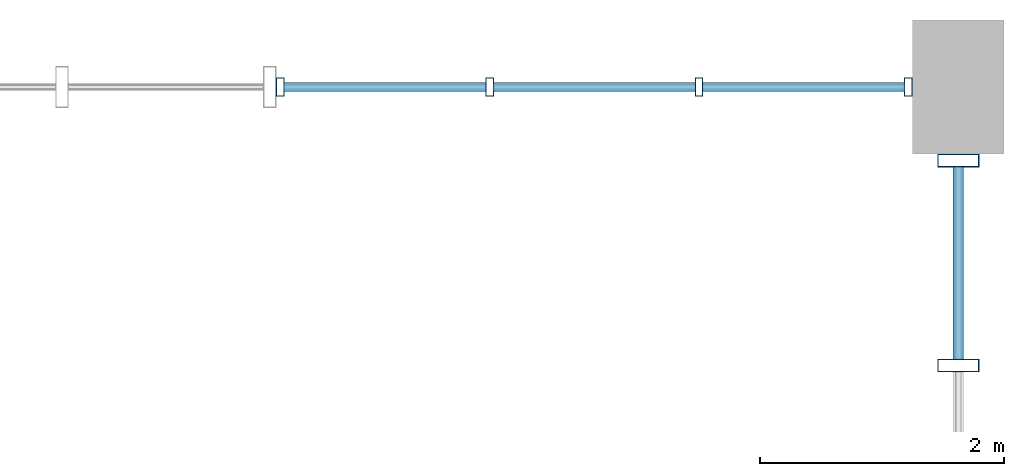
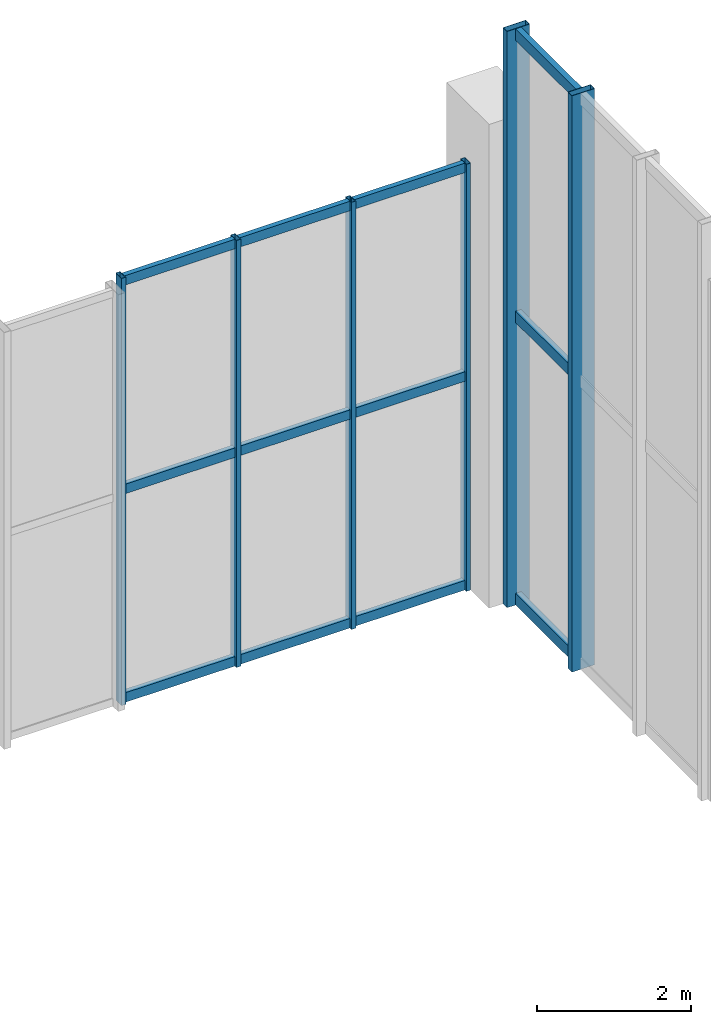
# One storey, part 18 of 28: 18 members, 2 elements without a shape of their own.
"""IFC4 building model written with IfcOpenShell, lengths in metres."""

from ifc_helpers import new_model, si_unit, direction, frame, origin, origin_2d, place, context, subcontext, project, spatial, hollow_rectangle, extrude, material, layer, layer_set, material_profile, profile_set, type_object, element, aggregate, save


model = new_model("IFC4")

# Units and contexts
model_context = context("Model", 3, precision=1e-05, world=origin(), true_north=direction((0.0, 1.0)))
body_context = subcontext(model_context, "Body", "Model", "MODEL_VIEW")
ifc_project = project(units=[si_unit("LENGTHUNIT", "METRE"), si_unit("AREAUNIT", "SQUARE_METRE"), si_unit("VOLUMEUNIT", "CUBIC_METRE"), si_unit("PLANEANGLEUNIT", "RADIAN"), si_unit("MASSUNIT", "GRAM", prefix="KILO"), si_unit("POWERUNIT", "WATT"), si_unit("THERMODYNAMICTEMPERATUREUNIT", "KELVIN")], contexts=[model_context])

# Site, building, storey
site_placement = place(None, origin())
site = spatial("IfcSite", under=ifc_project, at=site_placement, CompositionType="ELEMENT")
building_placement = place(site_placement, origin())
building = spatial("IfcBuilding", under=site, at=building_placement, Name="Kelmbourne Parkland Aquatics Centre", CompositionType="ELEMENT")
storey_placement = place(building_placement, frame((0.0, 0.0, 19.199951171875)))
storey = spatial("IfcBuildingStorey", under=building, at=storey_placement, Name="L04", CompositionType="ELEMENT", Elevation=19.199951171875)

# Curtain wall, members
ifc_material = material(Name="Thermally broken anodised aluminium framing", Category="aluminium")
ifc_layer_1 = layer(ifc_material, 0.179931640625)
ifc_layer_set_1 = layer_set([ifc_layer_1], Name="Thermally broken anodised aluminium framing")
curtain_wall_type_1 = type_object("IfcCurtainWallType", Name="CW-16", PredefinedType="NOTDEFINED", material=ifc_layer_set_1)
curtain_wall_1_placement = place(storey_placement, origin())
curtain_wall_1 = element("IfcCurtainWall", 1, at=curtain_wall_1_placement, inside=storey, type_object=curtain_wall_type_1, Name="Wave-hall clerestory curtain wall CW-L04-160", PredefinedType="NOTDEFINED")
ifc_material_profile_1 = material_profile(ifc_material, hollow_rectangle(XDim=0.06494140625, YDim=0.14990234375, WallThickness=0.00390625, at=origin_2d()), Name="CW-M 65x150")
ifc_profile_set_1 = profile_set([ifc_material_profile_1], Name="Thermally broken anodised aluminium framing")
member_type_1 = type_object("IfcMemberType", Name="MB-MUL-1", PredefinedType="MULLION", material=ifc_profile_set_1)
member_1_placement = place(storey_placement, frame((169.632568359375, 114.800048828125, 0.0), z_axis=(0.0, 0.0, 1.0), x_axis=(1.0, 0.0, 0.0)))
member_1 = element("IfcMember", 2, at=member_1_placement, type_object=member_type_1, Name="CW-L04-160 mullion 0", PredefinedType="MULLION", context=body_context, shape_type="SweptSolid", body=[
    extrude(hollow_rectangle(XDim=0.06494140625, YDim=0.14990234375, WallThickness=0.00390625, at=origin_2d()), origin(), (0.0, 0.0, 1.0), 6.7548828125),
])
member_2_placement = place(storey_placement, frame((171.351806640625, 114.800048828125, 0.0), z_axis=(0.0, 0.0, 1.0), x_axis=(1.0, 0.0, 0.0)))
member_2 = element("IfcMember", 3, at=member_2_placement, type_object=member_type_1, Name="CW-L04-160 mullion 1", PredefinedType="MULLION", context=body_context, shape_type="SweptSolid", body=[
    extrude(hollow_rectangle(XDim=0.06494140625, YDim=0.14990234375, WallThickness=0.00390625, at=origin_2d()), origin(), (0.0, 0.0, 1.0), 6.7548828125),
])
member_3_placement = place(storey_placement, frame((173.0712890625, 114.800048828125, 0.0), z_axis=(0.0, 0.0, 1.0), x_axis=(1.0, 0.0, 0.0)))
member_3 = element("IfcMember", 4, at=member_3_placement, type_object=member_type_1, Name="CW-L04-160 mullion 2", PredefinedType="MULLION", context=body_context, shape_type="SweptSolid", body=[
    extrude(hollow_rectangle(XDim=0.06494140625, YDim=0.14990234375, WallThickness=0.00390625, at=origin_2d()), origin(), (0.0, 0.0, 1.0), 6.7548828125),
])
member_4_placement = place(storey_placement, frame((174.79052734375, 114.800048828125, 0.0), z_axis=(0.0, 0.0, 1.0), x_axis=(1.0, 0.0, 0.0)))
member_4 = element("IfcMember", 5, at=member_4_placement, type_object=member_type_1, Name="CW-L04-160 mullion 3", PredefinedType="MULLION", context=body_context, shape_type="SweptSolid", body=[
    extrude(hollow_rectangle(XDim=0.06494140625, YDim=0.14990234375, WallThickness=0.00390625, at=origin_2d()), origin(), (0.0, 0.0, 1.0), 6.7548828125),
])

ifc_layer_2 = layer(ifc_material, 0.179931640625)
ifc_layer_set_2 = layer_set([ifc_layer_2], Name="Thermally broken anodised aluminium framing")
curtain_wall_type_2 = type_object("IfcCurtainWallType", Name="CW-08", PredefinedType="NOTDEFINED", material=ifc_layer_set_2)
curtain_wall_2_placement = place(storey_placement, origin())
curtain_wall_2 = element("IfcCurtainWall", 6, at=curtain_wall_2_placement, inside=storey, type_object=curtain_wall_type_2, Name="Wave-hall clerestory curtain wall CW-L04-104", PredefinedType="NOTDEFINED")
ifc_material_profile_2 = material_profile(ifc_material, hollow_rectangle(XDim=0.10498046875, YDim=0.340087890625, WallThickness=0.006103515625, at=origin_2d()), Name="CW-M 105x340")
ifc_profile_set_2 = profile_set([ifc_material_profile_2], Name="Thermally broken anodised aluminium framing")
member_type_2 = type_object("IfcMemberType", Name="MB-MUL-5", PredefinedType="MULLION", material=ifc_profile_set_2)
member_5_placement = place(storey_placement, frame((175.199951171875, 112.514404296875, 0.0), z_axis=(0.0, 0.0, 1.0), x_axis=(0.0, 1.0, 0.0)))
member_5 = element("IfcMember", 7, at=member_5_placement, type_object=member_type_2, Name="CW-L04-104 mullion 2", PredefinedType="MULLION", context=body_context, shape_type="SweptSolid", body=[
    extrude(hollow_rectangle(XDim=0.10498046875, YDim=0.340087890625, WallThickness=0.006103515625, at=origin_2d()), origin(), (0.0, 0.0, 1.0), 9.1142578125),
])
member_6_placement = place(storey_placement, frame((175.199951171875, 114.195556640625, 0.0), z_axis=(0.0, 0.0, 1.0), x_axis=(0.0, 1.0, 0.0)))
member_6 = element("IfcMember", 8, at=member_6_placement, type_object=member_type_2, Name="CW-L04-104 mullion 3", PredefinedType="MULLION", context=body_context, shape_type="SweptSolid", body=[
    extrude(hollow_rectangle(XDim=0.10498046875, YDim=0.340087890625, WallThickness=0.006103515625, at=origin_2d()), origin(), (0.0, 0.0, 1.0), 9.1142578125),
])

# Member
ifc_material_profile_3 = material_profile(ifc_material, hollow_rectangle(XDim=0.074951171875, YDim=0.14990234375, WallThickness=0.00390625, at=origin_2d()), Name="CW-T 75x150")
ifc_profile_set_3 = profile_set([ifc_material_profile_3], Name="Thermally broken anodised aluminium framing")
member_type_3 = type_object("IfcMemberType", Name="MB-TRN-2", PredefinedType="USERDEFINED", material=ifc_profile_set_3)
member_7_placement = place(storey_placement, frame((169.660888671875, 114.800048828125, 0.078125), z_axis=(1.0, 0.0, 0.0), x_axis=(0.0, 1.0, 0.0)))
member_7 = element("IfcMember", 9, at=member_7_placement, type_object=member_type_3, Name="CW-L04-160 transom 0-0", ObjectType="TRANSOM", PredefinedType="USERDEFINED", context=body_context, shape_type="SweptSolid", body=[
    extrude(hollow_rectangle(XDim=0.074951171875, YDim=0.14990234375, WallThickness=0.00390625, at=origin_2d()), origin(), (0.0, 0.0, 1.0), 1.662353515625),
])

member_8_placement = place(storey_placement, frame((171.38037109375, 114.800048828125, 0.078125), z_axis=(1.0, 0.0, 0.0), x_axis=(0.0, 1.0, 0.0)))
member_8 = element("IfcMember", 10, at=member_8_placement, type_object=member_type_3, Name="CW-L04-160 transom 0-1", ObjectType="TRANSOM", PredefinedType="USERDEFINED", context=body_context, shape_type="SweptSolid", body=[
    extrude(hollow_rectangle(XDim=0.074951171875, YDim=0.14990234375, WallThickness=0.00390625, at=origin_2d()), origin(), (0.0, 0.0, 1.0), 1.662353515625),
])

member_9_placement = place(storey_placement, frame((173.099609375, 114.800048828125, 0.078125), z_axis=(1.0, 0.0, 0.0), x_axis=(0.0, 1.0, 0.0)))
member_9 = element("IfcMember", 11, at=member_9_placement, type_object=member_type_3, Name="CW-L04-160 transom 0-2", ObjectType="TRANSOM", PredefinedType="USERDEFINED", context=body_context, shape_type="SweptSolid", body=[
    extrude(hollow_rectangle(XDim=0.074951171875, YDim=0.14990234375, WallThickness=0.00390625, at=origin_2d()), origin(), (0.0, 0.0, 1.0), 1.662353515625),
])

member_10_placement = place(storey_placement, frame((169.660888671875, 114.800048828125, 3.37744140625), z_axis=(1.0, 0.0, 0.0), x_axis=(0.0, 1.0, 0.0)))
member_10 = element("IfcMember", 12, at=member_10_placement, type_object=member_type_3, Name="CW-L04-160 transom 1-0", ObjectType="TRANSOM", PredefinedType="USERDEFINED", context=body_context, shape_type="SweptSolid", body=[
    extrude(hollow_rectangle(XDim=0.074951171875, YDim=0.14990234375, WallThickness=0.00390625, at=origin_2d()), origin(), (0.0, 0.0, 1.0), 1.662353515625),
])

member_11_placement = place(storey_placement, frame((171.38037109375, 114.800048828125, 3.37744140625), z_axis=(1.0, 0.0, 0.0), x_axis=(0.0, 1.0, 0.0)))
member_11 = element("IfcMember", 13, at=member_11_placement, type_object=member_type_3, Name="CW-L04-160 transom 1-1", ObjectType="TRANSOM", PredefinedType="USERDEFINED", context=body_context, shape_type="SweptSolid", body=[
    extrude(hollow_rectangle(XDim=0.074951171875, YDim=0.14990234375, WallThickness=0.00390625, at=origin_2d()), origin(), (0.0, 0.0, 1.0), 1.662353515625),
])

member_12_placement = place(storey_placement, frame((173.099609375, 114.800048828125, 3.37744140625), z_axis=(1.0, 0.0, 0.0), x_axis=(0.0, 1.0, 0.0)))
member_12 = element("IfcMember", 14, at=member_12_placement, type_object=member_type_3, Name="CW-L04-160 transom 1-2", ObjectType="TRANSOM", PredefinedType="USERDEFINED", context=body_context, shape_type="SweptSolid", body=[
    extrude(hollow_rectangle(XDim=0.074951171875, YDim=0.14990234375, WallThickness=0.00390625, at=origin_2d()), origin(), (0.0, 0.0, 1.0), 1.662353515625),
])

member_13_placement = place(storey_placement, frame((169.660888671875, 114.800048828125, 6.6767578125), z_axis=(1.0, 0.0, 0.0), x_axis=(0.0, 1.0, 0.0)))
member_13 = element("IfcMember", 15, at=member_13_placement, type_object=member_type_3, Name="CW-L04-160 transom 2-0", ObjectType="TRANSOM", PredefinedType="USERDEFINED", context=body_context, shape_type="SweptSolid", body=[
    extrude(hollow_rectangle(XDim=0.074951171875, YDim=0.14990234375, WallThickness=0.00390625, at=origin_2d()), origin(), (0.0, 0.0, 1.0), 1.662353515625),
])

member_14_placement = place(storey_placement, frame((171.38037109375, 114.800048828125, 6.6767578125), z_axis=(1.0, 0.0, 0.0), x_axis=(0.0, 1.0, 0.0)))
member_14 = element("IfcMember", 16, at=member_14_placement, type_object=member_type_3, Name="CW-L04-160 transom 2-1", ObjectType="TRANSOM", PredefinedType="USERDEFINED", context=body_context, shape_type="SweptSolid", body=[
    extrude(hollow_rectangle(XDim=0.074951171875, YDim=0.14990234375, WallThickness=0.00390625, at=origin_2d()), origin(), (0.0, 0.0, 1.0), 1.662353515625),
])

member_15_placement = place(storey_placement, frame((173.099609375, 114.800048828125, 6.6767578125), z_axis=(1.0, 0.0, 0.0), x_axis=(0.0, 1.0, 0.0)))
member_15 = element("IfcMember", 17, at=member_15_placement, type_object=member_type_3, Name="CW-L04-160 transom 2-2", ObjectType="TRANSOM", PredefinedType="USERDEFINED", context=body_context, shape_type="SweptSolid", body=[
    extrude(hollow_rectangle(XDim=0.074951171875, YDim=0.14990234375, WallThickness=0.00390625, at=origin_2d()), origin(), (0.0, 0.0, 1.0), 1.662353515625),
])

aggregate(curtain_wall_1, [member_1, member_2, member_3, member_4, member_7, member_8, member_9, member_10, member_11, member_12, member_13, member_14, member_15])

ifc_material_profile_4 = material_profile(ifc_material, hollow_rectangle(XDim=0.0849609375, YDim=0.179931640625, WallThickness=0.00439453125, at=origin_2d()), Name="CW-T 85x180")
ifc_profile_set_4 = profile_set([ifc_material_profile_4], Name="Thermally broken anodised aluminium framing")
member_type_4 = type_object("IfcMemberType", Name="MB-TRN-3", PredefinedType="USERDEFINED", material=ifc_profile_set_4)
member_16_placement = place(storey_placement, frame((175.199951171875, 112.56298828125, 0.093017578125), z_axis=(0.0, 1.0, 0.0), x_axis=(-1.0, 0.0, 0.0)))
member_16 = element("IfcMember", 18, at=member_16_placement, type_object=member_type_4, Name="CW-L04-104 transom 0-2", ObjectType="TRANSOM", PredefinedType="USERDEFINED", context=body_context, shape_type="SweptSolid", body=[
    extrude(hollow_rectangle(XDim=0.0849609375, YDim=0.179931640625, WallThickness=0.00439453125, at=origin_2d()), origin(), (0.0, 0.0, 1.0), 1.583984375),
])

member_17_placement = place(storey_placement, frame((175.199951171875, 112.56298828125, 4.55712890625), z_axis=(0.0, 1.0, 0.0), x_axis=(-1.0, 0.0, 0.0)))
member_17 = element("IfcMember", 19, at=member_17_placement, type_object=member_type_4, Name="CW-L04-104 transom 1-2", ObjectType="TRANSOM", PredefinedType="USERDEFINED", context=body_context, shape_type="SweptSolid", body=[
    extrude(hollow_rectangle(XDim=0.0849609375, YDim=0.179931640625, WallThickness=0.00439453125, at=origin_2d()), origin(), (0.0, 0.0, 1.0), 1.583984375),
])

member_18_placement = place(storey_placement, frame((175.199951171875, 112.56298828125, 9.021240234375), z_axis=(0.0, 1.0, 0.0), x_axis=(-1.0, 0.0, 0.0)))
member_18 = element("IfcMember", 20, at=member_18_placement, type_object=member_type_4, Name="CW-L04-104 transom 2-2", ObjectType="TRANSOM", PredefinedType="USERDEFINED", context=body_context, shape_type="SweptSolid", body=[
    extrude(hollow_rectangle(XDim=0.0849609375, YDim=0.179931640625, WallThickness=0.00439453125, at=origin_2d()), origin(), (0.0, 0.0, 1.0), 1.583984375),
])

aggregate(curtain_wall_2, [member_5, member_6, member_16, member_17, member_18])

save(model, "model.ifc")
